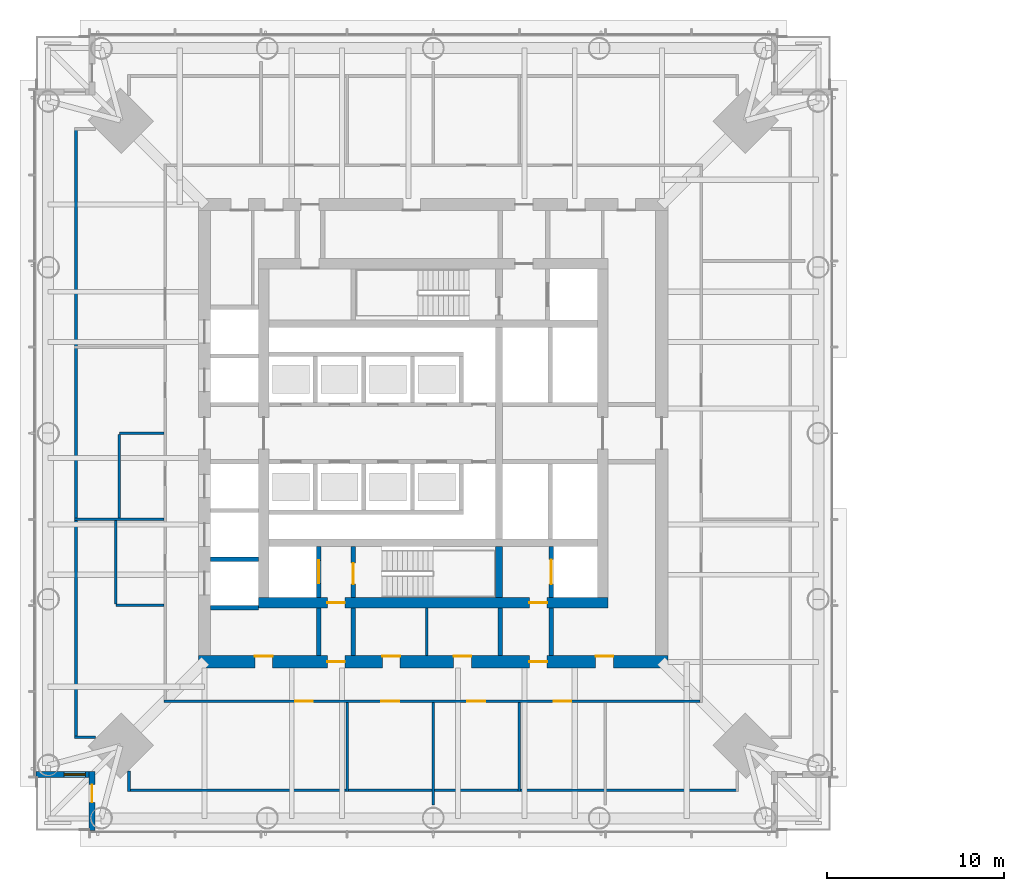
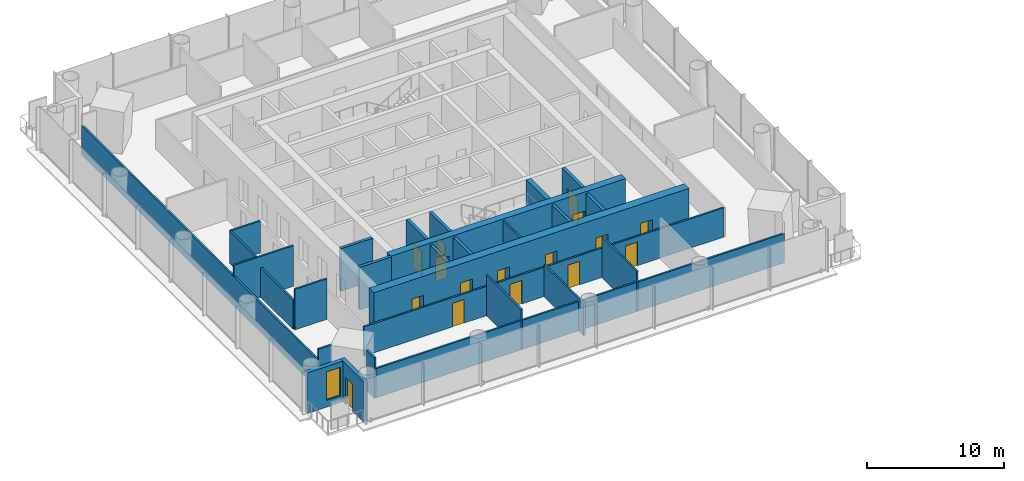
# One storey, part 9 of 27: 28 walls, 16 doors, 1 window, 17 openings.
"""IFC4 building model written with IfcOpenShell, lengths in metres."""

import ifcopenshell
import ifcopenshell.guid

model = None  # the IFC model being written
_history = None  # IfcOwnerHistory: only IFC2X3 demands one
_inside = {}  # id of a spatial element -> (the spatial element, [elements in it])
_under = {}  # id of a project, library or spatial element -> (it, [spatial elements below it])
_declared = {}  # id of a project -> (the project, [libraries it declares])
_typed = {}  # id of a type object -> (the type object, [elements of that type])
_made_of = {}  # id of a material, layer set ... -> (it, [elements and type objects made of it])


def new_model(schema):
    """Start an empty IFC model of exactly this schema.

    Asked for "IFC4X3", IfcOpenShell would pick the latest addendum, in which some entities
    have other attributes; the version numbers below select the first issue.
    IFC2X3 requires an IfcOwnerHistory on every rooted entity: one is made here for all.
    """
    global model, _history
    if schema == "IFC4X3":
        model = ifcopenshell.file(schema_version=(4, 3, 0, 0))
    else:
        model = ifcopenshell.file(schema=schema)
    _inside.clear()
    _under.clear()
    _declared.clear()
    _typed.clear()
    _made_of.clear()
    _history = None
    if model.schema == "IFC2X3":
        org = make("IfcOrganization", Name="unknown")
        user = make(
            "IfcPersonAndOrganization",
            ThePerson=make("IfcPerson", FamilyName="unknown"),
            TheOrganization=org,
        )
        app = make(
            "IfcApplication",
            ApplicationDeveloper=org,
            Version="unknown",
            ApplicationFullName="unknown",
            ApplicationIdentifier="unknown",
        )
        _history = make(
            "IfcOwnerHistory",
            OwningUser=user,
            OwningApplication=app,
            ChangeAction="ADDED",
            CreationDate=0,
        )
    return model


def make(cls, **values):
    """One entity of the class cls with the attributes given. An attribute that is None is left unset."""
    return model.create_entity(
        cls, **{name: value for name, value in values.items() if value is not None}
    )


def rooted(cls, **values):
    """An entity with a GlobalId (a new one), such as an element, a storey or a relation."""
    return make(cls, GlobalId=ifcopenshell.guid.new(), OwnerHistory=_history, **values)


def si_unit(unit_type, name, prefix=None):
    """IfcSIUnit, for example si_unit("LENGTHUNIT", "METRE", prefix="MILLI")."""
    return make("IfcSIUnit", UnitType=unit_type, Prefix=prefix, Name=name)


def assignment(units):
    """IfcUnitAssignment: the units of a project."""
    return None if units is None else make("IfcUnitAssignment", Units=units)


def point(xyz):
    """IfcCartesianPoint."""
    return None if xyz is None else make("IfcCartesianPoint", Coordinates=xyz)


def direction(xyz):
    """IfcDirection."""
    return None if xyz is None else make("IfcDirection", DirectionRatios=xyz)


def frame(location, z_axis=None, x_axis=None):
    """IfcAxis2Placement3D, a coordinate frame: its origin and axes. An axis left out is left unset."""
    return make(
        "IfcAxis2Placement3D",
        Location=point(location),
        Axis=direction(z_axis),
        RefDirection=direction(x_axis),
    )


def frame_2d(location, x_axis=None):
    """IfcAxis2Placement2D, a coordinate frame in the plane: its origin and x axis."""
    return make(
        "IfcAxis2Placement2D", Location=point(location), RefDirection=direction(x_axis)
    )


def origin():
    """The frame at (0, 0, 0) with its axes left unset."""
    return frame((0.0, 0.0, 0.0))


def place(relative_to, where):
    """IfcLocalPlacement: puts the frame where relative to a parent placement (None: the world)."""
    return make(
        "IfcLocalPlacement", PlacementRelTo=relative_to, RelativePlacement=where
    )


def context(
    kind, dimensions, precision=None, world=None, true_north=None, identifier=None
):
    """IfcGeometricRepresentationContext, for example the 3D "Model" context."""
    return make(
        "IfcGeometricRepresentationContext",
        ContextIdentifier=identifier,
        ContextType=kind,
        CoordinateSpaceDimension=dimensions,
        Precision=precision,
        WorldCoordinateSystem=world,
        TrueNorth=true_north,
    )


def subcontext(parent, identifier, kind, view, scale=None):
    """IfcGeometricRepresentationSubContext, for example "Body" below "Model"."""
    return make(
        "IfcGeometricRepresentationSubContext",
        ContextIdentifier=identifier,
        ContextType=kind,
        ParentContext=parent,
        TargetScale=scale,
        TargetView=view,
    )


def project(units=None, contexts=None):
    """IfcProject with its units and contexts."""
    return rooted(
        "IfcProject",
        Name="project",
        RepresentationContexts=contexts,
        UnitsInContext=assignment(units),
    )


def spatial(cls, under=None, at=None, **own):
    """A site, building, storey or space (cls), placed at a placement, below another one or the project."""
    s = rooted(cls, ObjectPlacement=at, **own)
    if under is not None:
        _under.setdefault(under.id(), (under, []))[1].append(s)
    return s


def profile(cls, at=None, kind="AREA", **sizes):
    """A parametric profile (cls). Its sizes go by their IFC names, for example OverallWidth=200.0."""
    return make(cls, ProfileType=kind, Position=at, **sizes)


def rectangle(**sizes):
    """IfcRectangleProfileDef."""
    return profile("IfcRectangleProfileDef", **sizes)


def extrude(swept, where, along, depth):
    """IfcExtrudedAreaSolid: the profile swept, set in the frame where, extruded along a direction by depth."""
    return make(
        "IfcExtrudedAreaSolid",
        SweptArea=swept,
        Position=where,
        ExtrudedDirection=direction(along),
        Depth=depth,
    )


def shape(context_of_items, identifier, shape_type, items):
    """IfcShapeRepresentation: the items that make up one representation, for example the "Body"."""
    return make(
        "IfcShapeRepresentation",
        ContextOfItems=context_of_items,
        RepresentationIdentifier=identifier,
        RepresentationType=shape_type,
        Items=items,
    )


def material(Name=None, Category=None):
    """IfcMaterial."""
    return make("IfcMaterial", Name=Name, Category=Category)


def layer(
    of_material, thickness, ventilated=None, Name=None, Category=None, Priority=None
):
    """IfcMaterialLayer: one layer of a wall or slab, of a material (None: an air gap)."""
    return make(
        "IfcMaterialLayer",
        Material=of_material,
        LayerThickness=thickness,
        IsVentilated=ventilated,
        Name=Name,
        Category=Category,
        Priority=Priority,
    )


def layer_set(layers, Name=None):
    """IfcMaterialLayerSet."""
    return make("IfcMaterialLayerSet", MaterialLayers=layers, LayerSetName=Name)


def made_of(thing, what):
    """Note that an element or type object is made of a material, layer set ...; save() writes the relation."""
    if what is not None:
        _made_of.setdefault(what.id(), (what, []))[1].append(thing)
    return thing


def type_object(cls, material=None, **own):
    """A type object (cls), such as IfcWallType, which elements share."""
    return made_of(rooted(cls, **own), material)


def element(
    cls,
    number,
    at=None,
    inside=None,
    cuts=None,
    type_object=None,
    material=None,
    context=None,
    identifier="Body",
    shape_type=None,
    held_by="IfcProductDefinitionShape",
    body=None,
    shapes=None,
    **own,
):
    """One element of the class cls, such as IfcWall. Its Tag is "e" and its number.

    at: its placement. inside: the storey or other place that contains it. cuts: it is an
    opening in that element (IfcRelVoidsElement). A single representation is given by context,
    identifier, shape_type and body (its items); several are given by shapes. held_by: the class
    of the entity that holds the representations. save() writes the other relations.
    """
    e = rooted(cls, Tag="e%d" % number, ObjectPlacement=at, **own)
    if body is not None:
        shapes = [shape(context, identifier, shape_type, body)]
    if shapes is not None:
        e.Representation = make(held_by, Representations=shapes)
    if inside is not None:
        _inside.setdefault(inside.id(), (inside, []))[1].append(e)
    if cuts is not None:
        rooted(
            "IfcRelVoidsElement", RelatingBuildingElement=cuts, RelatedOpeningElement=e
        )
    if type_object is not None:
        _typed.setdefault(type_object.id(), (type_object, []))[1].append(e)
    return made_of(e, material)


def fill(opening, filler):
    """IfcRelFillsElement: the door or window that sits in an opening."""
    return rooted(
        "IfcRelFillsElement",
        RelatingOpeningElement=opening,
        RelatedBuildingElement=filler,
    )


def aggregate(whole, parts):
    """IfcRelAggregates: a whole, such as a stair, and the parts it consists of."""
    return rooted("IfcRelAggregates", RelatingObject=whole, RelatedObjects=parts)


def save(model, path):
    """Write the relations noted so far, then the file.

    IfcRelAggregates (storeys below a building ...), IfcRelContainedInSpatialStructure (elements
    in a storey), IfcRelDefinesByType, IfcRelAssociatesMaterial and IfcRelDeclares: one each for
    every whole, place, type object, material and project.
    """
    for whole, parts in _under.values():
        aggregate(whole, parts)
    for where, things in _inside.values():
        rooted(
            "IfcRelContainedInSpatialStructure",
            RelatedElements=things,
            RelatingStructure=where,
        )
    for kind, things in _typed.values():
        rooted("IfcRelDefinesByType", RelatedObjects=things, RelatingType=kind)
    for what, things in _made_of.values():
        rooted("IfcRelAssociatesMaterial", RelatedObjects=things, RelatingMaterial=what)
    for by, libraries in _declared.values():
        rooted("IfcRelDeclares", RelatingContext=by, RelatedDefinitions=libraries)
    model.write(path)


model = new_model("IFC4")

# Units and contexts
model_context = context("Model", 3, precision=1e-05, world=origin(), true_north=direction((0.0, 1.0)))
body_context = subcontext(model_context, "Body", "Model", "MODEL_VIEW")
ifc_project = project(units=[si_unit("LENGTHUNIT", "METRE"), si_unit("AREAUNIT", "SQUARE_METRE"), si_unit("VOLUMEUNIT", "CUBIC_METRE"), si_unit("PLANEANGLEUNIT", "RADIAN"), si_unit("MASSUNIT", "GRAM", prefix="KILO")], contexts=[model_context])

# Site, building, storey
site_placement = place(None, origin())
site = spatial("IfcSite", under=ifc_project, at=site_placement, CompositionType="ELEMENT")
building_placement = place(site_placement, origin())
building = spatial("IfcBuilding", under=site, at=building_placement, Name="Ostroluk Exchange", CompositionType="ELEMENT")
storey_placement = place(building_placement, frame((0.0, 0.0, 89.39990234375)))
storey = spatial("IfcBuildingStorey", under=building, at=storey_placement, Name="L22", CompositionType="ELEMENT", Elevation=89.39990234375)

# Walls
ifc_material_1 = material(Name="Concrete blockwork", Category="masonry")
ifc_layer_1 = layer(ifc_material_1, 0.14990234375)
ifc_layer_set_1 = layer_set([ifc_layer_1], Name="Blockwork plant room wall 150")
wall_type_1 = type_object("IfcWallType", Name="Blockwork plant room wall 150", PredefinedType="SOLIDWALL", material=ifc_layer_set_1)
wall_1_placement = place(storey_placement, frame((44.639892578125, 33.39990234375, 0.0), z_axis=(0.0, 0.0, 1.0), x_axis=(0.0, 1.0, 0.0)))
element("IfcWall", 1, at=wall_1_placement, inside=storey, type_object=wall_type_1, Name="Core room wall", PredefinedType="SOLIDWALL", context=body_context, shape_type="SweptSolid", body=[
    extrude(rectangle(XDim=2.7001953125, YDim=0.14990234375, at=frame_2d((1.35009765625, 0.0))), origin(), (0.0, 0.0, 1.0), 3.6201171875),
])
ifc_material_2 = material(Name="Concrete blockwork", Category="masonry")
ifc_layer_2 = layer(ifc_material_2, 0.25)
ifc_layer_set_2 = layer_set([ifc_layer_2], Name="Blockwork stair enclosure wall 250")
wall_type_2 = type_object("IfcWallType", Name="Blockwork stair enclosure wall 250", PredefinedType="SOLIDWALL", material=ifc_layer_set_2)
for number, where, z_axis, x_axis, name in (
    (2, (38.52490234375, 33.39990234375, 0.0), (0.0, 0.0, 1.0), (0.0, 1.0, 0.0), "Fire lobby enclosure wall"),
    (3, (40.47509765625, 33.39990234375, 0.0), (0.0, 0.0, 1.0), (0.0, 1.0, 0.0), "Fire lobby enclosure wall"),
    (4, (48.804931640625, 33.39990234375, 0.0), (0.0, 0.0, 1.0), (0.0, 1.0, 0.0), "Service lobby enclosure wall"),
    (5, (51.675048828125, 33.39990234375, 0.0), (0.0, 0.0, 1.0), (0.0, 1.0, 0.0), "Service lobby enclosure wall"),
):
    element("IfcWall", number, at=place(storey_placement, frame(where, z_axis=z_axis, x_axis=x_axis)), inside=storey, type_object=wall_type_2, Name=name, PredefinedType="SOLIDWALL", context=body_context, shape_type="SweptSolid", body=[
        extrude(rectangle(XDim=2.7001953125, YDim=0.25, at=frame_2d((1.35009765625, 0.0))), origin(), (0.0, 0.0, 1.0), 3.6201171875),
    ])
ifc_material_3 = material(Name="Concrete C50/60", Category="concrete")
ifc_layer_3 = layer(ifc_material_3, 0.39990234375)
ifc_layer_set_3 = layer_set([ifc_layer_3], Name="Core cross wall 400 C50/60")
wall_type_3 = type_object("IfcWallType", Name="Core cross wall 400 C50/60", PredefinedType="SHEAR", material=ifc_layer_set_3)
wall_2_placement = place(storey_placement, frame((48.72998046875, 36.699951171875, 0.0), z_axis=(0.0, 0.0, 1.0), x_axis=(0.0, 1.0, 0.0)))
element("IfcWall", 6, at=wall_2_placement, inside=storey, type_object=wall_type_3, Name="T1 core wall YE1", PredefinedType="SHEAR", context=body_context, shape_type="SweptSolid", body=[
    extrude(rectangle(XDim=2.900146484375, YDim=0.39990234375, at=frame_2d((1.4501953125, 0.0))), origin(), (0.0, 0.0, 1.0), 3.800048828125),
])

# Wall, opening, door
ifc_material_4 = material(Name="Concrete C40/50", Category="concrete")
ifc_layer_4 = layer(ifc_material_4, 0.25)
ifc_layer_set_4 = layer_set([ifc_layer_4], Name="Core shaft wall 250")
wall_type_4 = type_object("IfcWallType", Name="Core shaft wall 250", PredefinedType="SHEAR", material=ifc_layer_set_4)
wall_3_placement = place(storey_placement, frame((38.52490234375, 36.699951171875, 0.0), z_axis=(0.0, 0.0, 1.0), x_axis=(0.0, 1.0, 0.0)))
wall_3 = element("IfcWall", 7, at=wall_3_placement, inside=storey, type_object=wall_type_4, Name="Firefighting lift shaft wall", PredefinedType="SHEAR", context=body_context, shape_type="SweptSolid", body=[
    extrude(rectangle(XDim=2.900146484375, YDim=0.25, at=frame_2d((1.4501953125, 0.0))), origin(), (0.0, 0.0, 1.0), 3.800048828125),
])
opening_1_placement = place(wall_3_placement, frame((0.800048828125, 0.0, 0.0)))
opening_1 = element("IfcOpeningElement", 8, at=opening_1_placement, cuts=wall_3, Name="Opening LD2", PredefinedType="OPENING", context=body_context, shape_type="SweptSolid", body=[
    extrude(rectangle(XDim=1.300048828125, YDim=2.199951171875, at=frame_2d((0.64990234375, 1.10009765625))), frame((0.0, 0.135009765625, 0.0), z_axis=(0.0, -1.0, 0.0), x_axis=(1.0, 0.0, 0.0)), (0.0, 0.0, 1.0), 0.27001953125),
])
ifc_material_5 = material(Name="Stainless steel", Category="steel")
door_type_1 = type_object("IfcDoorType", Name="Lift landing door E 60 1300 x 2200", OperationType="DOUBLE_DOOR_SLIDING", PredefinedType="DOOR", material=ifc_material_5)
door_1_placement = place(opening_1_placement, origin())
door_1 = element("IfcDoor", 9, at=door_1_placement, inside=storey, type_object=door_type_1, Name="Lift FL1 landing door", OperationType="DOUBLE_DOOR_SLIDING", OverallHeight=2.199951171875, OverallWidth=1.300048828125, PredefinedType="DOOR", context=body_context, shape_type="SweptSolid", body=[
    extrude(rectangle(XDim=1.300048828125, YDim=2.199951171875, at=frame_2d((0.64990234375, 1.10009765625))), frame((0.0, 0.02490234375, 0.0), z_axis=(0.0, -1.0, 0.0), x_axis=(1.0, 0.0, 0.0)), (0.0, 0.0, 1.0), 0.050048828125),
])
fill(opening_1, door_1)

wall_4_placement = place(storey_placement, frame((40.47509765625, 36.699951171875, 0.0), z_axis=(0.0, 0.0, 1.0), x_axis=(0.0, 1.0, 0.0)))
wall_4 = element("IfcWall", 10, at=wall_4_placement, inside=storey, type_object=wall_type_4, Name="Stair shaft wall", PredefinedType="SHEAR", context=body_context, shape_type="SweptSolid", body=[
    extrude(rectangle(XDim=2.900146484375, YDim=0.25, at=frame_2d((1.4501953125, 0.0))), origin(), (0.0, 0.0, 1.0), 3.800048828125),
])
opening_2_placement = place(wall_4_placement, frame((0.75, 0.0, 0.0)))
opening_2 = element("IfcOpeningElement", 11, at=opening_2_placement, cuts=wall_4, Name="Opening FD60S", PredefinedType="OPENING", context=body_context, shape_type="SweptSolid", body=[
    extrude(rectangle(XDim=1.199951171875, YDim=2.10009765625, at=frame_2d((0.60009765625, 1.050048828125))), frame((0.0, 0.135009765625, 0.0), z_axis=(0.0, -1.0, 0.0), x_axis=(1.0, 0.0, 0.0)), (0.0, 0.0, 1.0), 0.27001953125),
])
ifc_material_6 = material(Name="Steel", Category="steel")
door_type_2 = type_object("IfcDoorType", Name="Stair door EI 60 1200 x 2100", OperationType="SINGLE_SWING_LEFT", PredefinedType="DOOR", material=ifc_material_6)
door_2_placement = place(opening_2_placement, origin())
door_2 = element("IfcDoor", 12, at=door_2_placement, inside=storey, type_object=door_type_2, Name="Stair T1-S1 door", OperationType="SINGLE_SWING_LEFT", OverallHeight=2.10009765625, OverallWidth=1.199951171875, PredefinedType="DOOR", context=body_context, shape_type="SweptSolid", body=[
    extrude(rectangle(XDim=1.199951171875, YDim=2.10009765625, at=frame_2d((0.60009765625, 1.050048828125))), frame((0.0, 0.02490234375, 0.0), z_axis=(0.0, -1.0, 0.0), x_axis=(1.0, 0.0, 0.0)), (0.0, 0.0, 1.0), 0.050048828125),
])
fill(opening_2, door_2)

wall_5_placement = place(storey_placement, frame((51.675048828125, 36.699951171875, 0.0), z_axis=(0.0, 0.0, 1.0), x_axis=(0.0, 1.0, 0.0)))
wall_5 = element("IfcWall", 13, at=wall_5_placement, inside=storey, type_object=wall_type_4, Name="Service lift shaft wall", PredefinedType="SHEAR", context=body_context, shape_type="SweptSolid", body=[
    extrude(rectangle(XDim=2.900146484375, YDim=0.25, at=frame_2d((1.4501953125, 0.0))), origin(), (0.0, 0.0, 1.0), 3.800048828125),
])
opening_3_placement = place(wall_5_placement, frame((0.75, 0.0, 0.0)))
opening_3 = element("IfcOpeningElement", 14, at=opening_3_placement, cuts=wall_5, Name="Opening LD3", PredefinedType="OPENING", context=body_context, shape_type="SweptSolid", body=[
    extrude(rectangle(XDim=1.39990234375, YDim=2.39990234375, at=frame_2d((0.699951171875, 1.199951171875))), frame((0.0, 0.135009765625, 0.0), z_axis=(0.0, -1.0, 0.0), x_axis=(1.0, 0.0, 0.0)), (0.0, 0.0, 1.0), 0.27001953125),
])
ifc_material_7 = material(Name="Stainless steel", Category="steel")
door_type_3 = type_object("IfcDoorType", Name="Goods lift landing door E 60 1400 x 2400", OperationType="DOUBLE_DOOR_SLIDING", PredefinedType="DOOR", material=ifc_material_7)
door_3_placement = place(opening_3_placement, origin())
door_3 = element("IfcDoor", 15, at=door_3_placement, inside=storey, type_object=door_type_3, Name="Lift SL1 landing door", OperationType="DOUBLE_DOOR_SLIDING", OverallHeight=2.39990234375, OverallWidth=1.39990234375, PredefinedType="DOOR", context=body_context, shape_type="SweptSolid", body=[
    extrude(rectangle(XDim=1.39990234375, YDim=2.39990234375, at=frame_2d((0.699951171875, 1.199951171875))), frame((0.0, 0.02490234375, 0.0), z_axis=(0.0, -1.0, 0.0), x_axis=(1.0, 0.0, 0.0)), (0.0, 0.0, 1.0), 0.050048828125),
])
fill(opening_3, door_3)

# Walls
for number, where, z_axis, x_axis, name in (
    (16, (32.39990234375, 36.125, 0.0), (0.0, 0.0, 1.0), (1.0, 0.0, 0.0), "Lift shaft wall"),
    (17, (32.39990234375, 38.875, 0.0), (0.0, 0.0, 1.0), (1.0, 0.0, 0.0), "Lift shaft wall"),
):
    element("IfcWall", number, at=place(storey_placement, frame(where, z_axis=z_axis, x_axis=x_axis)), inside=storey, type_object=wall_type_4, Name=name, PredefinedType="SHEAR", context=body_context, shape_type="SweptSolid", body=[
        extrude(rectangle(XDim=2.7001953125, YDim=0.25, at=frame_2d((1.35009765625, 0.0))), origin(), (0.0, 0.0, 1.0), 3.800048828125),
    ])

# Wall, openings, doors
ifc_material_8 = material(Name="Concrete C50/60", Category="concrete")
ifc_layer_5 = layer(ifc_material_8, 0.60009765625)
ifc_layer_set_5 = layer_set([ifc_layer_5], Name="Core wall 600 C50/60")
wall_type_5 = type_object("IfcWallType", Name="Core wall 600 C50/60", PredefinedType="SHEAR", material=ifc_layer_set_5)
wall_6_placement = place(storey_placement, frame((35.10009765625, 36.39990234375, 0.0), z_axis=(0.0, 0.0, 1.0), x_axis=(1.0, 0.0, 0.0)))
wall_6 = element("IfcWall", 18, at=wall_6_placement, inside=storey, type_object=wall_type_5, Name="T1 core wall S", PredefinedType="SHEAR", context=body_context, shape_type="SweptSolid", body=[
    extrude(rectangle(XDim=19.7998046875, YDim=0.60009765625, at=frame_2d((9.89990234375, 0.0))), origin(), (0.0, 0.0, 1.0), 3.800048828125),
])
opening_4_placement = place(wall_6_placement, frame((3.89990234375, 0.0, 0.0)))
opening_4 = element("IfcOpeningElement", 19, at=opening_4_placement, cuts=wall_6, Name="Opening FD60", PredefinedType="OPENING", context=body_context, shape_type="SweptSolid", body=[
    extrude(rectangle(XDim=1.0, YDim=2.10009765625, at=frame_2d((0.5, 1.050048828125))), frame((0.0, 0.31005859375, 0.0), z_axis=(0.0, -1.0, 0.0), x_axis=(1.0, 0.0, 0.0)), (0.0, 0.0, 1.0), 0.6201171875),
])
opening_5_placement = place(wall_6_placement, frame((15.35009765625, 0.0, 0.0)))
opening_5 = element("IfcOpeningElement", 20, at=opening_5_placement, cuts=wall_6, Name="Opening FD60", PredefinedType="OPENING", context=body_context, shape_type="SweptSolid", body=[
    extrude(rectangle(XDim=1.0, YDim=2.10009765625, at=frame_2d((0.5, 1.050048828125))), frame((0.0, 0.31005859375, 0.0), z_axis=(0.0, -1.0, 0.0), x_axis=(1.0, 0.0, 0.0)), (0.0, 0.0, 1.0), 0.6201171875),
])
ifc_material_9 = material(Name="Steel", Category="steel")
door_type_4 = type_object("IfcDoorType", Name="Fire door EI 60 1000 x 2100", OperationType="SINGLE_SWING_LEFT", PredefinedType="DOOR", material=ifc_material_9)
door_4_placement = place(opening_4_placement, origin())
door_4 = element("IfcDoor", 21, at=door_4_placement, inside=storey, type_object=door_type_4, Name="Firefighting lobby door", OperationType="SINGLE_SWING_LEFT", OverallHeight=2.10009765625, OverallWidth=1.0, PredefinedType="DOOR", context=body_context, shape_type="SweptSolid", body=[
    extrude(rectangle(XDim=1.0, YDim=2.10009765625, at=frame_2d((0.5, 1.050048828125))), frame((0.0, 0.02490234375, 0.0), z_axis=(0.0, -1.0, 0.0), x_axis=(1.0, 0.0, 0.0)), (0.0, 0.0, 1.0), 0.050048828125),
])
fill(opening_4, door_4)
door_5_placement = place(opening_5_placement, origin())
door_5 = element("IfcDoor", 22, at=door_5_placement, inside=storey, type_object=door_type_4, Name="Service lobby door", OperationType="SINGLE_SWING_RIGHT", OverallHeight=2.10009765625, OverallWidth=1.0, PredefinedType="DOOR", context=body_context, shape_type="SweptSolid", body=[
    extrude(rectangle(XDim=1.0, YDim=2.10009765625, at=frame_2d((0.5, 1.050048828125))), frame((0.0, 0.02490234375, 0.0), z_axis=(0.0, -1.0, 0.0), x_axis=(1.0, 0.0, 0.0)), (0.0, 0.0, 1.0), 0.050048828125),
])
fill(opening_5, door_5)

ifc_material_10 = material(Name="Concrete C50/60", Category="concrete")
ifc_layer_6 = layer(ifc_material_10, 0.699951171875)
ifc_layer_set_6 = layer_set([ifc_layer_6], Name="Core wall 700 C50/60")
wall_type_6 = type_object("IfcWallType", Name="Core wall 700 C50/60", PredefinedType="SHEAR", material=ifc_layer_set_6)
wall_7_placement = place(storey_placement, frame((31.699951171875, 33.050048828125, 0.0), z_axis=(0.0, 0.0, 1.0), x_axis=(1.0, 0.0, 0.0)))
wall_7 = element("IfcWall", 23, at=wall_7_placement, inside=storey, type_object=wall_type_6, Name="T1 core wall RS", PredefinedType="SHEAR", context=body_context, shape_type="SweptSolid", body=[
    extrude(rectangle(XDim=26.60009765625, YDim=0.699951171875, at=frame_2d((13.300048828125, 0.0))), origin(), (0.0, 0.0, 1.0), 3.800048828125),
])
opening_6_placement = place(wall_7_placement, frame((7.300048828125, 0.0, 0.0)))
opening_6 = element("IfcOpeningElement", 24, at=opening_6_placement, cuts=wall_7, Name="Opening FD60", PredefinedType="OPENING", context=body_context, shape_type="SweptSolid", body=[
    extrude(rectangle(XDim=1.0, YDim=2.10009765625, at=frame_2d((0.5, 1.050048828125))), frame((0.0, 0.35986328125, 0.0), z_axis=(0.0, -1.0, 0.0), x_axis=(1.0, 0.0, 0.0)), (0.0, 0.0, 1.0), 0.719970703125),
])
opening_7_placement = place(wall_7_placement, frame((18.75, 0.0, 0.0)))
opening_7 = element("IfcOpeningElement", 25, at=opening_7_placement, cuts=wall_7, Name="Opening FD60", PredefinedType="OPENING", context=body_context, shape_type="SweptSolid", body=[
    extrude(rectangle(XDim=1.0, YDim=2.10009765625, at=frame_2d((0.5, 1.050048828125))), frame((0.0, 0.35986328125, 0.0), z_axis=(0.0, -1.0, 0.0), x_axis=(1.0, 0.0, 0.0)), (0.0, 0.0, 1.0), 0.719970703125),
])
opening_8_placement = place(wall_7_placement, frame((3.199951171875, 0.0, 0.0)))
opening_8 = element("IfcOpeningElement", 26, at=opening_8_placement, cuts=wall_7, Name="Opening FD60", PredefinedType="OPENING", context=body_context, shape_type="SweptSolid", body=[
    extrude(rectangle(XDim=1.0, YDim=2.10009765625, at=frame_2d((0.5, 1.050048828125))), frame((0.0, 0.35986328125, 0.0), z_axis=(0.0, -1.0, 0.0), x_axis=(1.0, 0.0, 0.0)), (0.0, 0.0, 1.0), 0.719970703125),
])
opening_9_placement = place(wall_7_placement, frame((10.419921875, 0.0, 0.0)))
opening_9 = element("IfcOpeningElement", 27, at=opening_9_placement, cuts=wall_7, Name="Opening FD60", PredefinedType="OPENING", context=body_context, shape_type="SweptSolid", body=[
    extrude(rectangle(XDim=1.0, YDim=2.10009765625, at=frame_2d((0.5, 1.050048828125))), frame((0.0, 0.35986328125, 0.0), z_axis=(0.0, -1.0, 0.0), x_axis=(1.0, 0.0, 0.0)), (0.0, 0.0, 1.0), 0.719970703125),
])
opening_10_placement = place(wall_7_placement, frame((14.4599609375, 0.0, 0.0)))
opening_10 = element("IfcOpeningElement", 28, at=opening_10_placement, cuts=wall_7, Name="Opening FD60", PredefinedType="OPENING", context=body_context, shape_type="SweptSolid", body=[
    extrude(rectangle(XDim=1.0, YDim=2.10009765625, at=frame_2d((0.5, 1.050048828125))), frame((0.0, 0.35986328125, 0.0), z_axis=(0.0, -1.0, 0.0), x_axis=(1.0, 0.0, 0.0)), (0.0, 0.0, 1.0), 0.719970703125),
])
opening_11_placement = place(wall_7_placement, frame((22.5, 0.0, 0.0)))
opening_11 = element("IfcOpeningElement", 29, at=opening_11_placement, cuts=wall_7, Name="Opening FD60", PredefinedType="OPENING", context=body_context, shape_type="SweptSolid", body=[
    extrude(rectangle(XDim=1.0, YDim=2.10009765625, at=frame_2d((0.5, 1.050048828125))), frame((0.0, 0.35986328125, 0.0), z_axis=(0.0, -1.0, 0.0), x_axis=(1.0, 0.0, 0.0)), (0.0, 0.0, 1.0), 0.719970703125),
])
door_6_placement = place(opening_6_placement, origin())
door_6 = element("IfcDoor", 30, at=door_6_placement, inside=storey, type_object=door_type_4, Name="Firefighting lobby door", OperationType="SINGLE_SWING_LEFT", OverallHeight=2.10009765625, OverallWidth=1.0, PredefinedType="DOOR", context=body_context, shape_type="SweptSolid", body=[
    extrude(rectangle(XDim=1.0, YDim=2.10009765625, at=frame_2d((0.5, 1.050048828125))), frame((0.0, 0.02490234375, 0.0), z_axis=(0.0, -1.0, 0.0), x_axis=(1.0, 0.0, 0.0)), (0.0, 0.0, 1.0), 0.050048828125),
])
fill(opening_6, door_6)
door_7_placement = place(opening_7_placement, origin())
door_7 = element("IfcDoor", 31, at=door_7_placement, inside=storey, type_object=door_type_4, Name="Service lobby door", OperationType="SINGLE_SWING_RIGHT", OverallHeight=2.10009765625, OverallWidth=1.0, PredefinedType="DOOR", context=body_context, shape_type="SweptSolid", body=[
    extrude(rectangle(XDim=1.0, YDim=2.10009765625, at=frame_2d((0.5, 1.050048828125))), frame((0.0, 0.02490234375, 0.0), z_axis=(0.0, -1.0, 0.0), x_axis=(1.0, 0.0, 0.0)), (0.0, 0.0, 1.0), 0.050048828125),
])
fill(opening_7, door_7)
door_8_placement = place(opening_8_placement, origin())
door_8 = element("IfcDoor", 32, at=door_8_placement, inside=storey, type_object=door_type_4, Name="Concierge office door", OperationType="SINGLE_SWING_LEFT", OverallHeight=2.10009765625, OverallWidth=1.0, PredefinedType="DOOR", context=body_context, shape_type="SweptSolid", body=[
    extrude(rectangle(XDim=1.0, YDim=2.10009765625, at=frame_2d((0.5, 1.050048828125))), frame((0.0, 0.33984375, 0.0), z_axis=(0.0, -1.0, 0.0), x_axis=(1.0, 0.0, 0.0)), (0.0, 0.0, 1.0), 0.050048828125),
])
fill(opening_8, door_8)
door_9_placement = place(opening_9_placement, origin())
door_9 = element("IfcDoor", 33, at=door_9_placement, inside=storey, type_object=door_type_4, Name="First aid room door", OperationType="SINGLE_SWING_LEFT", OverallHeight=2.10009765625, OverallWidth=1.0, PredefinedType="DOOR", context=body_context, shape_type="SweptSolid", body=[
    extrude(rectangle(XDim=1.0, YDim=2.10009765625, at=frame_2d((0.5, 1.050048828125))), frame((0.0, 0.33984375, 0.0), z_axis=(0.0, -1.0, 0.0), x_axis=(1.0, 0.0, 0.0)), (0.0, 0.0, 1.0), 0.050048828125),
])
fill(opening_9, door_9)
door_10_placement = place(opening_10_placement, origin())
door_10 = element("IfcDoor", 34, at=door_10_placement, inside=storey, type_object=door_type_4, Name="Concierge office door", OperationType="SINGLE_SWING_RIGHT", OverallHeight=2.10009765625, OverallWidth=1.0, PredefinedType="DOOR", context=body_context, shape_type="SweptSolid", body=[
    extrude(rectangle(XDim=1.0, YDim=2.10009765625, at=frame_2d((0.5, 1.050048828125))), frame((0.0, 0.33984375, 0.0), z_axis=(0.0, -1.0, 0.0), x_axis=(1.0, 0.0, 0.0)), (0.0, 0.0, 1.0), 0.050048828125),
])
fill(opening_10, door_10)
door_11_placement = place(opening_11_placement, origin())
door_11 = element("IfcDoor", 35, at=door_11_placement, inside=storey, type_object=door_type_4, Name="Staff room door", OperationType="SINGLE_SWING_RIGHT", OverallHeight=2.10009765625, OverallWidth=1.0, PredefinedType="DOOR", context=body_context, shape_type="SweptSolid", body=[
    extrude(rectangle(XDim=1.0, YDim=2.10009765625, at=frame_2d((0.5, 1.050048828125))), frame((0.0, 0.33984375, 0.0), z_axis=(0.0, -1.0, 0.0), x_axis=(1.0, 0.0, 0.0)), (0.0, 0.0, 1.0), 0.050048828125),
])
fill(opening_11, door_11)

# Wall, opening, door
ifc_material_11 = material(Name="Limestone", Category="masonry")
ifc_layer_7 = layer(ifc_material_11, 0.35009765625)
ifc_layer_set_7 = layer_set([ifc_layer_7], Name="Limestone facade wall 350")
wall_type_7 = type_object("IfcWallType", Name="Limestone facade wall 350", PredefinedType="SOLIDWALL", material=ifc_layer_set_7)
wall_8_placement = place(storey_placement, frame((25.675048828125, 23.5, 0.0), z_axis=(0.0, 0.0, 1.0), x_axis=(0.0, 1.0, 0.0)))
wall_8 = element("IfcWall", 36, at=wall_8_placement, inside=storey, type_object=wall_type_7, Name="Office tower SW corner wall L22 a", PredefinedType="SOLIDWALL", context=body_context, shape_type="SweptSolid", body=[
    extrude(rectangle(XDim=3.35009765625, YDim=0.35009765625, at=frame_2d((1.675048828125, 0.0))), origin(), (0.0, 0.0, 1.0), 3.6201171875),
])
opening_12_placement = place(wall_8_placement, frame((1.60009765625, 0.0, 0.0)))
opening_12 = element("IfcOpeningElement", 37, at=opening_12_placement, cuts=wall_8, Name="Opening D-B1", PredefinedType="OPENING", context=body_context, shape_type="SweptSolid", body=[
    extrude(rectangle(XDim=1.0, YDim=2.39990234375, at=frame_2d((0.5, 1.199951171875))), frame((0.0, 0.18505859375, 0.0), z_axis=(0.0, -1.0, 0.0), x_axis=(1.0, 0.0, 0.0)), (0.0, 0.0, 1.0), 0.3701171875),
])
ifc_material_12 = material(Name="Bronze framed glazed door", Category="aluminium")
door_type_5 = type_object("IfcDoorType", Name="Balcony door 1000 x 2400", OperationType="SINGLE_SWING_LEFT", PredefinedType="DOOR", material=ifc_material_12)
door_12_placement = place(opening_12_placement, origin())
door_12 = element("IfcDoor", 38, at=door_12_placement, inside=storey, type_object=door_type_5, Name="Office tower SW balcony door L22", OperationType="SINGLE_SWING_RIGHT", OverallHeight=2.39990234375, OverallWidth=1.0, PredefinedType="DOOR", context=body_context, shape_type="SweptSolid", body=[
    extrude(rectangle(XDim=1.0, YDim=2.39990234375, at=frame_2d((0.5, 1.199951171875))), frame((0.0, 0.02490234375, 0.0), z_axis=(0.0, -1.0, 0.0), x_axis=(1.0, 0.0, 0.0)), (0.0, 0.0, 1.0), 0.050048828125),
])
fill(opening_12, door_12)

# Wall, opening, window
wall_9_placement = place(storey_placement, frame((25.5, 26.675048828125, 0.0), z_axis=(0.0, 0.0, 1.0), x_axis=(-1.0, 0.0, 0.0)))
wall_9 = element("IfcWall", 39, at=wall_9_placement, inside=storey, type_object=wall_type_7, Name="Office tower SW corner wall L22 b", PredefinedType="SOLIDWALL", context=body_context, shape_type="SweptSolid", body=[
    extrude(rectangle(XDim=3.0, YDim=0.35009765625, at=frame_2d((1.5, 0.0))), origin(), (0.0, 0.0, 1.0), 3.6201171875),
])
opening_13_placement = place(wall_9_placement, frame((0.199951171875, 0.0, 0.60009765625)))
opening_13 = element("IfcOpeningElement", 40, at=opening_13_placement, cuts=wall_9, Name="Opening WN-L1", PredefinedType="OPENING", context=body_context, shape_type="SweptSolid", body=[
    extrude(rectangle(XDim=1.199951171875, YDim=2.550048828125, at=frame_2d((0.60009765625, 1.27490234375))), frame((0.0, 0.18505859375, 0.0), z_axis=(0.0, -1.0, 0.0), x_axis=(1.0, 0.0, 0.0)), (0.0, 0.0, 1.0), 0.3701171875),
])
ifc_material_13 = material(Name="Laminated clear glass", Category="glass")
window_type = type_object("IfcWindowType", Name="Lancet window 1200 x 2550", PartitioningType="SINGLE_PANEL", PredefinedType="WINDOW", material=ifc_material_13)
window_placement = place(opening_13_placement, origin())
window = element("IfcWindow", 41, at=window_placement, inside=storey, type_object=window_type, Name="Office tower SW lancet window L22", OverallHeight=2.550048828125, OverallWidth=1.199951171875, PartitioningType="SINGLE_PANEL", PredefinedType="WINDOW", context=body_context, shape_type="SweptSolid", body=[
    extrude(rectangle(XDim=1.199951171875, YDim=2.550048828125, at=frame_2d((0.60009765625, 1.27490234375))), frame((0.0, 0.030029296875, 0.0), z_axis=(0.0, -1.0, 0.0), x_axis=(1.0, 0.0, 0.0)), (0.0, 0.0, 1.0), 0.06005859375),
])
fill(opening_13, window)

# Walls
ifc_material_14 = material(Name="Gypsum plasterboard partition", Category="gypsum")
ifc_layer_8 = layer(ifc_material_14, 0.14990234375)
ifc_layer_set_8 = layer_set([ifc_layer_8], Name="Plasterboard partition 150")
wall_type_8 = type_object("IfcWallType", Name="Plasterboard partition 150", PredefinedType="PARTITIONING", material=ifc_layer_set_8)
wall_10_placement = place(storey_placement, frame((29.75, 46.0, 0.0), z_axis=(0.0, 0.0, 1.0), x_axis=(-1.0, 0.0, 0.0)))
element("IfcWall", 42, at=wall_10_placement, inside=storey, type_object=wall_type_8, Name="Partition", PredefinedType="PARTITIONING", context=body_context, shape_type="SweptSolid", body=[
    extrude(rectangle(XDim=2.52490234375, YDim=0.14990234375, at=frame_2d((1.262451171875, 0.0))), origin(), (0.0, 0.0, 1.0), 2.858154296875),
])
wall_11_placement = place(storey_placement, frame((29.75, 41.125, 0.0), z_axis=(0.0, 0.0, 1.0), x_axis=(-1.0, 0.0, 0.0)))
element("IfcWall", 43, at=wall_11_placement, inside=storey, type_object=wall_type_8, Name="Partition", PredefinedType="PARTITIONING", context=body_context, shape_type="SweptSolid", body=[
    extrude(rectangle(XDim=5.050048828125, YDim=0.14990234375, at=frame_2d((2.52490234375, 0.0))), origin(), (0.0, 0.0, 1.0), 3.6201171875),
])
wall_12_placement = place(storey_placement, frame((29.75, 36.25, 0.0), z_axis=(0.0, 0.0, 1.0), x_axis=(-1.0, 0.0, 0.0)))
element("IfcWall", 44, at=wall_12_placement, inside=storey, type_object=wall_type_8, Name="Partition", PredefinedType="PARTITIONING", context=body_context, shape_type="SweptSolid", body=[
    extrude(rectangle(XDim=2.72509765625, YDim=0.14990234375, at=frame_2d((1.362548828125, 0.0))), origin(), (0.0, 0.0, 1.0), 3.6201171875),
])

# Wall, openings, doors
wall_13_placement = place(storey_placement, frame((29.75, 30.824951171875, 0.0), z_axis=(0.0, 0.0, 1.0), x_axis=(1.0, 0.0, 0.0)))
wall_13 = element("IfcWall", 45, at=wall_13_placement, inside=storey, type_object=wall_type_8, Name="Partition", PredefinedType="PARTITIONING", context=body_context, shape_type="SweptSolid", body=[
    extrude(rectangle(XDim=30.35009765625, YDim=0.14990234375, at=frame_2d((15.175048828125, 0.0))), origin(), (0.0, 0.0, 1.0), 2.612060546875),
])
opening_14_placement = place(wall_13_placement, frame((7.4375, 0.0, 0.0)))
opening_14 = element("IfcOpeningElement", 46, at=opening_14_placement, cuts=wall_13, Name="Opening D-03", PredefinedType="OPENING", context=body_context, shape_type="SweptSolid", body=[
    extrude(rectangle(XDim=1.0, YDim=2.10009765625, at=frame_2d((0.5, 1.050048828125))), frame((0.0, 0.0849609375, 0.0), z_axis=(0.0, -1.0, 0.0), x_axis=(1.0, 0.0, 0.0)), (0.0, 0.0, 1.0), 0.169921875),
])
opening_15_placement = place(wall_13_placement, frame((12.3125, 0.0, 0.0)))
opening_15 = element("IfcOpeningElement", 47, at=opening_15_placement, cuts=wall_13, Name="Opening D-03", PredefinedType="OPENING", context=body_context, shape_type="SweptSolid", body=[
    extrude(rectangle(XDim=1.0, YDim=2.10009765625, at=frame_2d((0.5, 1.050048828125))), frame((0.0, 0.0849609375, 0.0), z_axis=(0.0, -1.0, 0.0), x_axis=(1.0, 0.0, 0.0)), (0.0, 0.0, 1.0), 0.169921875),
])
opening_16_placement = place(wall_13_placement, frame((17.1875, 0.0, 0.0)))
opening_16 = element("IfcOpeningElement", 48, at=opening_16_placement, cuts=wall_13, Name="Opening D-03", PredefinedType="OPENING", context=body_context, shape_type="SweptSolid", body=[
    extrude(rectangle(XDim=1.0, YDim=2.10009765625, at=frame_2d((0.5, 1.050048828125))), frame((0.0, 0.0849609375, 0.0), z_axis=(0.0, -1.0, 0.0), x_axis=(1.0, 0.0, 0.0)), (0.0, 0.0, 1.0), 0.169921875),
])
opening_17_placement = place(wall_13_placement, frame((22.0625, 0.0, 0.0)))
opening_17 = element("IfcOpeningElement", 49, at=opening_17_placement, cuts=wall_13, Name="Opening D-03", PredefinedType="OPENING", context=body_context, shape_type="SweptSolid", body=[
    extrude(rectangle(XDim=1.0, YDim=2.10009765625, at=frame_2d((0.5, 1.050048828125))), frame((0.0, 0.0849609375, 0.0), z_axis=(0.0, -1.0, 0.0), x_axis=(1.0, 0.0, 0.0)), (0.0, 0.0, 1.0), 0.169921875),
])
ifc_material_15 = material(Name="Timber", Category="wood")
door_type_6 = type_object("IfcDoorType", Name="Internal door 1000 x 2100", OperationType="SINGLE_SWING_LEFT", PredefinedType="DOOR", material=ifc_material_15)
door_13_placement = place(opening_14_placement, origin())
door_13 = element("IfcDoor", 50, at=door_13_placement, inside=storey, type_object=door_type_6, Name="Meeting room door", OperationType="SINGLE_SWING_LEFT", OverallHeight=2.10009765625, OverallWidth=1.0, PredefinedType="DOOR", context=body_context, shape_type="SweptSolid", body=[
    extrude(rectangle(XDim=1.0, YDim=2.10009765625, at=frame_2d((0.5, 1.050048828125))), frame((0.0, 0.02490234375, 0.0), z_axis=(0.0, -1.0, 0.0), x_axis=(1.0, 0.0, 0.0)), (0.0, 0.0, 1.0), 0.050048828125),
])
fill(opening_14, door_13)
door_14_placement = place(opening_15_placement, origin())
door_14 = element("IfcDoor", 51, at=door_14_placement, inside=storey, type_object=door_type_6, Name="Meeting room door", OperationType="SINGLE_SWING_LEFT", OverallHeight=2.10009765625, OverallWidth=1.0, PredefinedType="DOOR", context=body_context, shape_type="SweptSolid", body=[
    extrude(rectangle(XDim=1.0, YDim=2.10009765625, at=frame_2d((0.5, 1.050048828125))), frame((0.0, 0.02490234375, 0.0), z_axis=(0.0, -1.0, 0.0), x_axis=(1.0, 0.0, 0.0)), (0.0, 0.0, 1.0), 0.050048828125),
])
fill(opening_15, door_14)
door_15_placement = place(opening_16_placement, origin())
door_15 = element("IfcDoor", 52, at=door_15_placement, inside=storey, type_object=door_type_6, Name="Meeting room door", OperationType="SINGLE_SWING_RIGHT", OverallHeight=2.10009765625, OverallWidth=1.0, PredefinedType="DOOR", context=body_context, shape_type="SweptSolid", body=[
    extrude(rectangle(XDim=1.0, YDim=2.10009765625, at=frame_2d((0.5, 1.050048828125))), frame((0.0, 0.02490234375, 0.0), z_axis=(0.0, -1.0, 0.0), x_axis=(1.0, 0.0, 0.0)), (0.0, 0.0, 1.0), 0.050048828125),
])
fill(opening_16, door_15)
door_16_placement = place(opening_17_placement, origin())
door_16 = element("IfcDoor", 53, at=door_16_placement, inside=storey, type_object=door_type_6, Name="Meeting room door", OperationType="SINGLE_SWING_RIGHT", OverallHeight=2.10009765625, OverallWidth=1.0, PredefinedType="DOOR", context=body_context, shape_type="SweptSolid", body=[
    extrude(rectangle(XDim=1.0, YDim=2.10009765625, at=frame_2d((0.5, 1.050048828125))), frame((0.0, 0.02490234375, 0.0), z_axis=(0.0, -1.0, 0.0), x_axis=(1.0, 0.0, 0.0)), (0.0, 0.0, 1.0), 0.050048828125),
])
fill(opening_17, door_16)

# Walls
wall_14_placement = place(storey_placement, frame((40.125, 30.75, 0.0), z_axis=(0.0, 0.0, 1.0), x_axis=(0.0, -1.0, 0.0)))
element("IfcWall", 54, at=wall_14_placement, inside=storey, type_object=wall_type_8, Name="Partition", PredefinedType="PARTITIONING", context=body_context, shape_type="SweptSolid", body=[
    extrude(rectangle(XDim=5.050048828125, YDim=0.14990234375, at=frame_2d((2.52490234375, 0.0))), origin(), (0.0, 0.0, 1.0), 3.6201171875),
])
wall_15_placement = place(storey_placement, frame((45.0, 30.75, 0.0), z_axis=(0.0, 0.0, 1.0), x_axis=(0.0, -1.0, 0.0)))
element("IfcWall", 55, at=wall_15_placement, inside=storey, type_object=wall_type_8, Name="Partition", PredefinedType="PARTITIONING", context=body_context, shape_type="SweptSolid", body=[
    extrude(rectangle(XDim=5.7900390625, YDim=0.14990234375, at=frame_2d((2.89501953125, 0.0))), origin(), (0.0, 0.0, 1.0), 2.858154296875),
])
wall_16_placement = place(storey_placement, frame((49.875, 30.75, 0.0), z_axis=(0.0, 0.0, 1.0), x_axis=(0.0, -1.0, 0.0)))
element("IfcWall", 56, at=wall_16_placement, inside=storey, type_object=wall_type_8, Name="Partition", PredefinedType="PARTITIONING", context=body_context, shape_type="SweptSolid", body=[
    extrude(rectangle(XDim=5.050048828125, YDim=0.14990234375, at=frame_2d((2.52490234375, 0.0))), origin(), (0.0, 0.0, 1.0), 3.6201171875),
])
for number, where, z_axis, x_axis, name in (
    (57, (27.77490234375, 25.699951171875, 0.0), (0.0, 0.0, 1.0), (0.0, 1.0, 0.0), "Truss zone partition"),
    (58, (25.861572265625, 28.77490234375, 0.0), (0.0, 0.0, 1.0), (-1.0, 0.0, 0.0), "Truss zone partition"),
):
    element("IfcWall", number, at=place(storey_placement, frame(where, z_axis=z_axis, x_axis=x_axis)), inside=storey, type_object=wall_type_8, Name=name, PredefinedType="PARTITIONING", context=body_context, shape_type="SweptSolid", body=[
        extrude(rectangle(XDim=1.16162109375, YDim=0.14990234375, at=frame_2d((0.580810546875, 0.0))), origin(), (0.0, 0.0, 1.0), 3.6201171875),
    ])
for number, where, z_axis, x_axis, name in (
    (59, (24.77490234375, 28.699951171875, 0.0), (0.0, 0.0, 1.0), (0.0, 1.0, 0.0), "Truss zone partition"),
    (60, (62.300048828125, 25.77490234375, 0.0), (0.0, 0.0, 1.0), (-1.0, 0.0, 0.0), "Truss zone partition"),
):
    element("IfcWall", number, at=place(storey_placement, frame(where, z_axis=z_axis, x_axis=x_axis)), inside=storey, type_object=wall_type_8, Name=name, PredefinedType="PARTITIONING", context=body_context, shape_type="SweptSolid", body=[
        extrude(rectangle(XDim=34.60009765625, YDim=0.14990234375, at=frame_2d((17.300048828125, 0.0))), origin(), (0.0, 0.0, 1.0), 2.612060546875),
    ])
ifc_material_16 = material(Name="Gypsum plasterboard partition, moisture resistant", Category="gypsum")
ifc_layer_9 = layer(ifc_material_16, 0.14990234375)
ifc_layer_set_9 = layer_set([ifc_layer_9], Name="Plasterboard toilet partition 150")
wall_type_9 = type_object("IfcWallType", Name="Plasterboard toilet partition 150", PredefinedType="PARTITIONING", material=ifc_layer_set_9)
wall_17_placement = place(storey_placement, frame((27.22509765625, 45.925048828125, 0.0), z_axis=(0.0, 0.0, 1.0), x_axis=(0.0, -1.0, 0.0)))
element("IfcWall", 61, at=wall_17_placement, inside=storey, type_object=wall_type_9, Name="Toilet partition", PredefinedType="PARTITIONING", context=body_context, shape_type="SweptSolid", body=[
    extrude(rectangle(XDim=4.72509765625, YDim=0.14990234375, at=frame_2d((2.362548828125, 0.0))), origin(), (0.0, 0.0, 1.0), 2.858154296875),
])
wall_18_placement = place(storey_placement, frame((27.02490234375, 41.050048828125, 0.0), z_axis=(0.0, 0.0, 1.0), x_axis=(0.0, -1.0, 0.0)))
element("IfcWall", 62, at=wall_18_placement, inside=storey, type_object=wall_type_9, Name="Toilet partition", PredefinedType="PARTITIONING", context=body_context, shape_type="SweptSolid", body=[
    extrude(rectangle(XDim=4.72509765625, YDim=0.14990234375, at=frame_2d((2.362548828125, 0.0))), origin(), (0.0, 0.0, 1.0), 2.612060546875),
])

save(model, "model.ifc")
